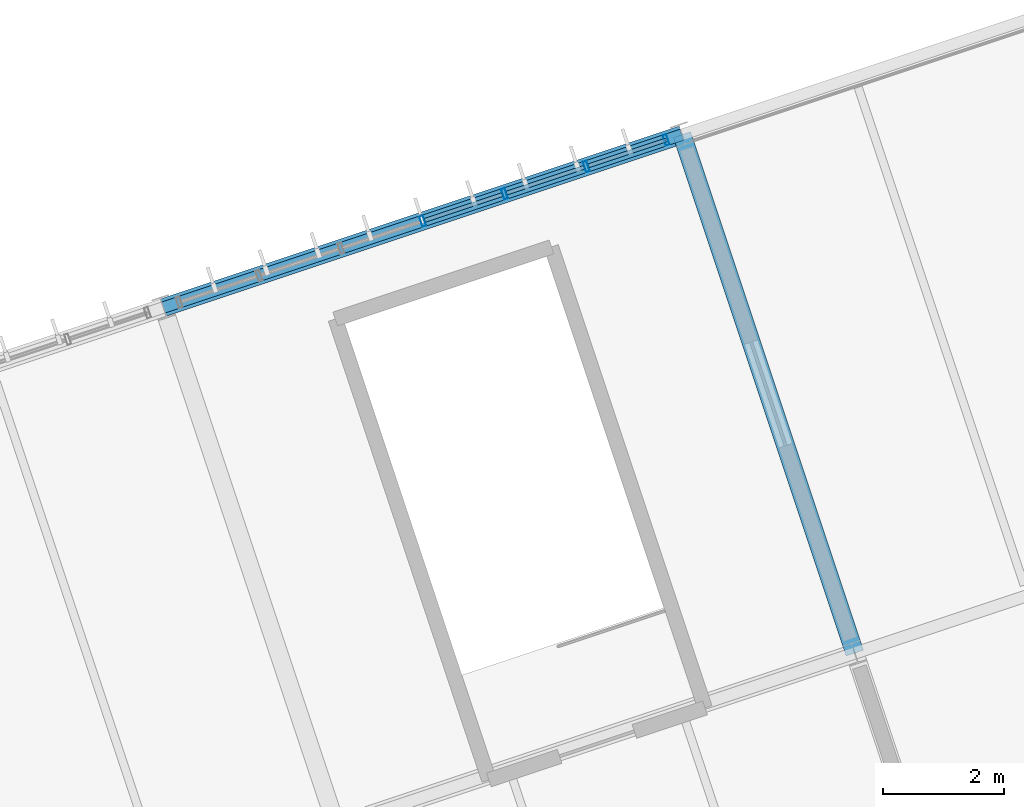
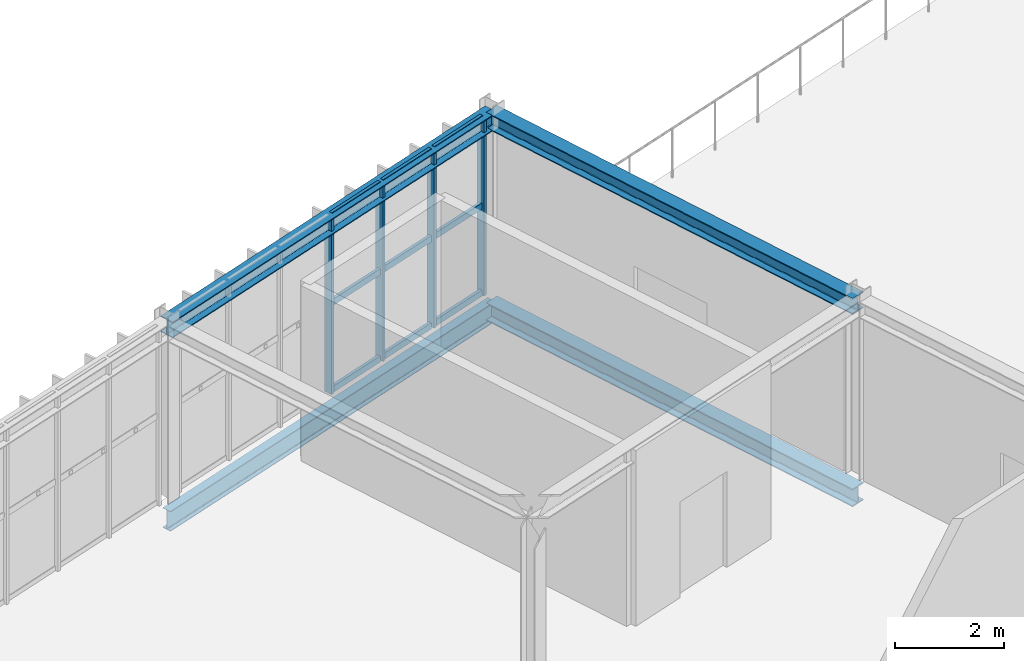
# One storey, part 21 of 61: 13 members, 4 beams, 1 element without a shape of its own.
"""IFC4 building model written with IfcOpenShell, lengths in metres."""

from ifc_helpers import new_model, si_unit, derived_unit, direction, frame, origin, origin_2d, place, context, subcontext, project, spatial, hollow_rectangle, i_section, extrude, material, material_profile, profile_set, type_object, element, aggregate, save


model = new_model("IFC4")

# Units and contexts
model_context = context("Model", 3, precision=1e-05, world=origin(), true_north=direction((0.0, 1.0)))
body_context = subcontext(model_context, "Body", "Model", "MODEL_VIEW")
ifc_project = project(units=[si_unit("LENGTHUNIT", "METRE"), si_unit("AREAUNIT", "SQUARE_METRE"), si_unit("VOLUMEUNIT", "CUBIC_METRE"), si_unit("PLANEANGLEUNIT", "RADIAN"), si_unit("MASSUNIT", "GRAM", prefix="KILO"), si_unit("THERMODYNAMICTEMPERATUREUNIT", "KELVIN"), si_unit("TIMEUNIT", "SECOND"), derived_unit("THERMALTRANSMITTANCEUNIT", [(si_unit("MASSUNIT", "GRAM", prefix="KILO"), 1), (si_unit("THERMODYNAMICTEMPERATUREUNIT", "KELVIN"), -1), (si_unit("TIMEUNIT", "SECOND"), -3)])], contexts=[model_context])

# Site, building, storey
site_placement = place(None, origin())
site = spatial("IfcSite", under=ifc_project, at=site_placement, CompositionType="ELEMENT")
building_placement = place(site_placement, origin())
building = spatial("IfcBuilding", under=site, at=building_placement, Name="Cambertide Market Hall", CompositionType="ELEMENT")
storey_placement = place(building_placement, frame((0.0, 0.0, 9.89990234375)))
storey = spatial("IfcBuildingStorey", under=building, at=storey_placement, Name="L03", CompositionType="ELEMENT", Elevation=9.89990234375)

# Curtain wall, members
ifc_material_1 = material(Name="Marine Anodized Aluminium 6063-T6 AA25", Category="aluminium")
curtain_wall_type = type_object("IfcCurtainWallType", Name="Tasting Hall Panorama Curtain Wall", PredefinedType="USERDEFINED", material=ifc_material_1)
curtain_wall_placement = place(storey_placement, origin())
curtain_wall = element("IfcCurtainWall", 1, at=curtain_wall_placement, inside=storey, type_object=curtain_wall_type, Name="Level 3 Curtain Wall CW-V3N-L03-5", ObjectType="UNITIZED CURTAIN WALL", PredefinedType="USERDEFINED")
ifc_material_2 = material(Name="Champagne Marine Anodized Aluminium 6063-T6 AA25", Category="aluminium")
ifc_material_profile_1 = material_profile(ifc_material_2, hollow_rectangle(XDim=0.06494140625, YDim=0.179931640625, WallThickness=0.00390625, at=origin_2d()), Name="ALU MULLION 65x180")
ifc_profile_set_1 = profile_set([ifc_material_profile_1], Name="Champagne Marine Anodized Aluminium 6063-T6 AA25")
member_type_1 = type_object("IfcMemberType", Name="Curtain Wall Mullion ALU MULLION 65x180", PredefinedType="MULLION", material=ifc_profile_set_1)
member_1_placement = place(storey_placement, frame((135.883544921875, 50.421630859375, 0.0), z_axis=(0.0, 0.0, 1.0), x_axis=(0.948683286311, 0.316227801236, 0.0)))
member_1 = element("IfcMember", 2, at=member_1_placement, type_object=member_type_1, Name="CW-V3N-L03-5 Mullion 4", PredefinedType="MULLION", context=body_context, shape_type="SweptSolid", body=[
    extrude(hollow_rectangle(XDim=0.06494140625, YDim=0.179931640625, WallThickness=0.00390625, at=origin_2d()), origin(), (0.0, 0.0, 1.0), 3.97998046875),
])
member_2_placement = place(storey_placement, frame((137.230712890625, 50.87060546875, 0.0), z_axis=(0.0, 0.0, 1.0), x_axis=(0.948683286311, 0.316227801236, 0.0)))
member_2 = element("IfcMember", 3, at=member_2_placement, type_object=member_type_1, Name="CW-V3N-L03-5 Mullion 5", PredefinedType="MULLION", context=body_context, shape_type="SweptSolid", body=[
    extrude(hollow_rectangle(XDim=0.06494140625, YDim=0.179931640625, WallThickness=0.00390625, at=origin_2d()), origin(), (0.0, 0.0, 1.0), 3.97998046875),
])
member_3_placement = place(storey_placement, frame((138.577880859375, 51.31982421875, 0.0), z_axis=(0.0, 0.0, 1.0), x_axis=(0.948683286311, 0.316227801236, 0.0)))
member_3 = element("IfcMember", 4, at=member_3_placement, type_object=member_type_1, Name="CW-V3N-L03-5 Mullion 6", PredefinedType="MULLION", context=body_context, shape_type="SweptSolid", body=[
    extrude(hollow_rectangle(XDim=0.06494140625, YDim=0.179931640625, WallThickness=0.00390625, at=origin_2d()), origin(), (0.0, 0.0, 1.0), 3.97998046875),
])
member_4_placement = place(storey_placement, frame((139.8916015625, 51.7578125, 0.0), z_axis=(0.0, 0.0, 1.0), x_axis=(0.948683286311, 0.316227801236, 0.0)))
member_4 = element("IfcMember", 5, at=member_4_placement, type_object=member_type_1, Name="CW-V3N-L03-5 Mullion 7", PredefinedType="MULLION", context=body_context, shape_type="SweptSolid", body=[
    extrude(hollow_rectangle(XDim=0.06494140625, YDim=0.179931640625, WallThickness=0.00390625, at=origin_2d()), origin(), (0.0, 0.0, 1.0), 3.97998046875),
])
ifc_material_3 = material(Name="Champagne Marine Anodized Aluminium 6063-T6 AA25", Category="aluminium")
ifc_material_profile_2 = material_profile(ifc_material_3, hollow_rectangle(XDim=0.06494140625, YDim=0.139892578125, WallThickness=0.00341796875, at=origin_2d()), Name="ALU TRANSOM 65x140")
ifc_profile_set_2 = profile_set([ifc_material_profile_2], Name="Champagne Marine Anodized Aluminium 6063-T6 AA25")
member_type_2 = type_object("IfcMemberType", Name="Curtain Wall Transom ALU TRANSOM 65x140", PredefinedType="USERDEFINED", material=ifc_profile_set_2)
member_5_placement = place(storey_placement, frame((135.92138671875, 50.434326171875, 0.03515625), z_axis=(0.948665077442, 0.316282422593, 0.0), x_axis=(-0.316282422593, 0.948665077442, 0.0)))
member_5 = element("IfcMember", 6, at=member_5_placement, type_object=member_type_2, Name="CW-V3N-L03-5 Transom 1-4", ObjectType="TRANSOM", PredefinedType="USERDEFINED", context=body_context, shape_type="SweptSolid", body=[
    extrude(hollow_rectangle(XDim=0.06494140625, YDim=0.139892578125, WallThickness=0.00341796875, at=origin_2d()), origin(), (0.0, 0.0, 1.0), 1.340087890625),
])
member_6_placement = place(storey_placement, frame((137.2685546875, 50.88330078125, 0.03515625), z_axis=(0.948665077442, 0.316282422593, 0.0), x_axis=(-0.316282422593, 0.948665077442, 0.0)))
member_6 = element("IfcMember", 7, at=member_6_placement, type_object=member_type_2, Name="CW-V3N-L03-5 Transom 1-5", ObjectType="TRANSOM", PredefinedType="USERDEFINED", context=body_context, shape_type="SweptSolid", body=[
    extrude(hollow_rectangle(XDim=0.06494140625, YDim=0.139892578125, WallThickness=0.00341796875, at=origin_2d()), origin(), (0.0, 0.0, 1.0), 1.340087890625),
])
member_7_placement = place(storey_placement, frame((138.61572265625, 51.33251953125, 0.03515625), z_axis=(0.948719731918, 0.316118443418, 0.0), x_axis=(-0.316118443418, 0.948719731918, 0.0)))
member_7 = element("IfcMember", 8, at=member_7_placement, type_object=member_type_2, Name="CW-V3N-L03-5 Transom 1-6", ObjectType="TRANSOM", PredefinedType="USERDEFINED", context=body_context, shape_type="SweptSolid", body=[
    extrude(hollow_rectangle(XDim=0.06494140625, YDim=0.139892578125, WallThickness=0.00341796875, at=origin_2d()), origin(), (0.0, 0.0, 1.0), 1.33984375),
])
member_8_placement = place(storey_placement, frame((135.92138671875, 50.434326171875, 1.989990234375), z_axis=(0.948665077442, 0.316282422593, 0.0), x_axis=(-0.316282422593, 0.948665077442, 0.0)))
member_8 = element("IfcMember", 9, at=member_8_placement, type_object=member_type_2, Name="CW-V3N-L03-5 Transom 2-4", ObjectType="TRANSOM", PredefinedType="USERDEFINED", context=body_context, shape_type="SweptSolid", body=[
    extrude(hollow_rectangle(XDim=0.06494140625, YDim=0.139892578125, WallThickness=0.00341796875, at=origin_2d()), origin(), (0.0, 0.0, 1.0), 1.340087890625),
])
member_9_placement = place(storey_placement, frame((137.2685546875, 50.88330078125, 1.989990234375), z_axis=(0.948665077442, 0.316282422593, 0.0), x_axis=(-0.316282422593, 0.948665077442, 0.0)))
member_9 = element("IfcMember", 10, at=member_9_placement, type_object=member_type_2, Name="CW-V3N-L03-5 Transom 2-5", ObjectType="TRANSOM", PredefinedType="USERDEFINED", context=body_context, shape_type="SweptSolid", body=[
    extrude(hollow_rectangle(XDim=0.06494140625, YDim=0.139892578125, WallThickness=0.00341796875, at=origin_2d()), origin(), (0.0, 0.0, 1.0), 1.340087890625),
])
member_10_placement = place(storey_placement, frame((138.61572265625, 51.33251953125, 1.989990234375), z_axis=(0.948719731918, 0.316118443418, 0.0), x_axis=(-0.316118443418, 0.948719731918, 0.0)))
member_10 = element("IfcMember", 11, at=member_10_placement, type_object=member_type_2, Name="CW-V3N-L03-5 Transom 2-6", ObjectType="TRANSOM", PredefinedType="USERDEFINED", context=body_context, shape_type="SweptSolid", body=[
    extrude(hollow_rectangle(XDim=0.06494140625, YDim=0.139892578125, WallThickness=0.00341796875, at=origin_2d()), origin(), (0.0, 0.0, 1.0), 1.33984375),
])
member_11_placement = place(storey_placement, frame((135.92138671875, 50.434326171875, 3.945068359375), z_axis=(0.948665077442, 0.316282422593, 0.0), x_axis=(-0.316282422593, 0.948665077442, 0.0)))
member_11 = element("IfcMember", 12, at=member_11_placement, type_object=member_type_2, Name="CW-V3N-L03-5 Transom 3-4", ObjectType="TRANSOM", PredefinedType="USERDEFINED", context=body_context, shape_type="SweptSolid", body=[
    extrude(hollow_rectangle(XDim=0.06494140625, YDim=0.139892578125, WallThickness=0.00341796875, at=origin_2d()), origin(), (0.0, 0.0, 1.0), 1.340087890625),
])
member_12_placement = place(storey_placement, frame((137.2685546875, 50.88330078125, 3.945068359375), z_axis=(0.948665077442, 0.316282422593, 0.0), x_axis=(-0.316282422593, 0.948665077442, 0.0)))
member_12 = element("IfcMember", 13, at=member_12_placement, type_object=member_type_2, Name="CW-V3N-L03-5 Transom 3-5", ObjectType="TRANSOM", PredefinedType="USERDEFINED", context=body_context, shape_type="SweptSolid", body=[
    extrude(hollow_rectangle(XDim=0.06494140625, YDim=0.139892578125, WallThickness=0.00341796875, at=origin_2d()), origin(), (0.0, 0.0, 1.0), 1.340087890625),
])
member_13_placement = place(storey_placement, frame((138.61572265625, 51.33251953125, 3.945068359375), z_axis=(0.948719731918, 0.316118443418, 0.0), x_axis=(-0.316118443418, 0.948719731918, 0.0)))
member_13 = element("IfcMember", 14, at=member_13_placement, type_object=member_type_2, Name="CW-V3N-L03-5 Transom 3-6", ObjectType="TRANSOM", PredefinedType="USERDEFINED", context=body_context, shape_type="SweptSolid", body=[
    extrude(hollow_rectangle(XDim=0.06494140625, YDim=0.139892578125, WallThickness=0.00341796875, at=origin_2d()), origin(), (0.0, 0.0, 1.0), 1.33984375),
])
aggregate(curtain_wall, [member_1, member_2, member_3, member_4, member_5, member_6, member_7, member_8, member_9, member_10, member_11, member_12, member_13])

# Beams
ifc_material_4 = material(Name="Steel S355", Category="steel")
ifc_material_profile_3 = material_profile(ifc_material_4, i_section(OverallWidth=0.300048828125, OverallDepth=0.360107421875, WebThickness=0.012451171875, FlangeThickness=0.0224609375, FilletRadius=0.027099609375, at=origin_2d()), Name="HEB 360")
ifc_profile_set_3 = profile_set([ifc_material_profile_3], Name="Steel S355")
beam_type_1 = type_object("IfcBeamType", Name="Exterior Steel Girder HEB 360", PredefinedType="BEAM", material=ifc_profile_set_3)
for number, where, z_axis, x_axis, name in (
    (15, (131.614501953125, 48.99853515625, 3.820068359375), (0.948677872554, 0.31624404204, 0.0), (-0.31624404204, 0.948677872554, 0.0), "Level 3 Beam BM-V3U-RF-5-4"),
    (16, (142.99853515625, 43.306640625, 3.820068359375), (-0.3162196279, 0.948686010717, 0.0), (-0.948686010717, -0.3162196279, 0.0), "Level 3 Beam BM-V3V-RF-6-3"),
):
    element("IfcBeam", number, at=place(storey_placement, frame(where, z_axis=z_axis, x_axis=x_axis)), inside=storey, type_object=beam_type_1, Name=name, PredefinedType="BEAM", context=body_context, shape_type="SweptSolid", body=[
        extrude(i_section(OverallWidth=0.300048828125, OverallDepth=0.360107421875, WebThickness=0.012451171875, FlangeThickness=0.0224609375, FilletRadius=0.027099609375, at=origin_2d()), origin(), (0.0, 0.0, 1.0), 9.0),
    ])
ifc_material_5 = material(Name="Steel S355", Category="steel")
ifc_material_profile_4 = material_profile(ifc_material_5, i_section(OverallWidth=0.18994140625, OverallDepth=0.449951171875, WebThickness=0.009521484375, FlangeThickness=0.0146484375, FilletRadius=0.02099609375, at=origin_2d()), Name="IPE 450")
ifc_profile_set_4 = profile_set([ifc_material_profile_4], Name="Steel S355")
beam_type_2 = type_object("IfcBeamType", Name="Perimeter Spandrel Beam IPE 450", PredefinedType="SPANDREL", material=ifc_profile_set_4)
beam_1_placement = place(storey_placement, frame((131.614501953125, 48.99853515625, -0.5), z_axis=(0.948677872554, 0.31624404204, 0.0), x_axis=(-0.31624404204, 0.948677872554, 0.0)))
element("IfcBeam", 17, at=beam_1_placement, inside=storey, type_object=beam_type_2, Name="Level 3 Spandrel BM-V3U-L03-5-4", PredefinedType="SPANDREL", context=body_context, shape_type="SweptSolid", body=[
    extrude(i_section(OverallWidth=0.18994140625, OverallDepth=0.449951171875, WebThickness=0.009521484375, FlangeThickness=0.0146484375, FilletRadius=0.02099609375, at=origin_2d()), origin(), (0.0, 0.0, 1.0), 9.0),
])
ifc_material_6 = material(Name="Steel S355", Category="steel")
ifc_material_profile_5 = material_profile(ifc_material_6, i_section(OverallWidth=0.300048828125, OverallDepth=0.39990234375, WebThickness=0.013427734375, FlangeThickness=0.02392578125, FilletRadius=0.027099609375, at=origin_2d()), Name="HEB 400")
ifc_profile_set_5 = profile_set([ifc_material_profile_5], Name="Steel S355")
beam_type_3 = type_object("IfcBeamType", Name="Steel Girder HEB 400", PredefinedType="BEAM", material=ifc_profile_set_5)
beam_2_placement = place(storey_placement, frame((142.99853515625, 43.306640625, -0.474853515625), z_axis=(-0.3162196279, 0.948686010717, 0.0), x_axis=(-0.948686010717, -0.3162196279, 0.0)))
element("IfcBeam", 18, at=beam_2_placement, inside=storey, type_object=beam_type_3, Name="Level 3 Beam BM-V3V-L03-6-3", PredefinedType="BEAM", context=body_context, shape_type="SweptSolid", body=[
    extrude(i_section(OverallWidth=0.300048828125, OverallDepth=0.39990234375, WebThickness=0.013427734375, FlangeThickness=0.02392578125, FilletRadius=0.027099609375, at=origin_2d()), origin(), (0.0, 0.0, 1.0), 9.0),
])

save(model, "model.ifc")
